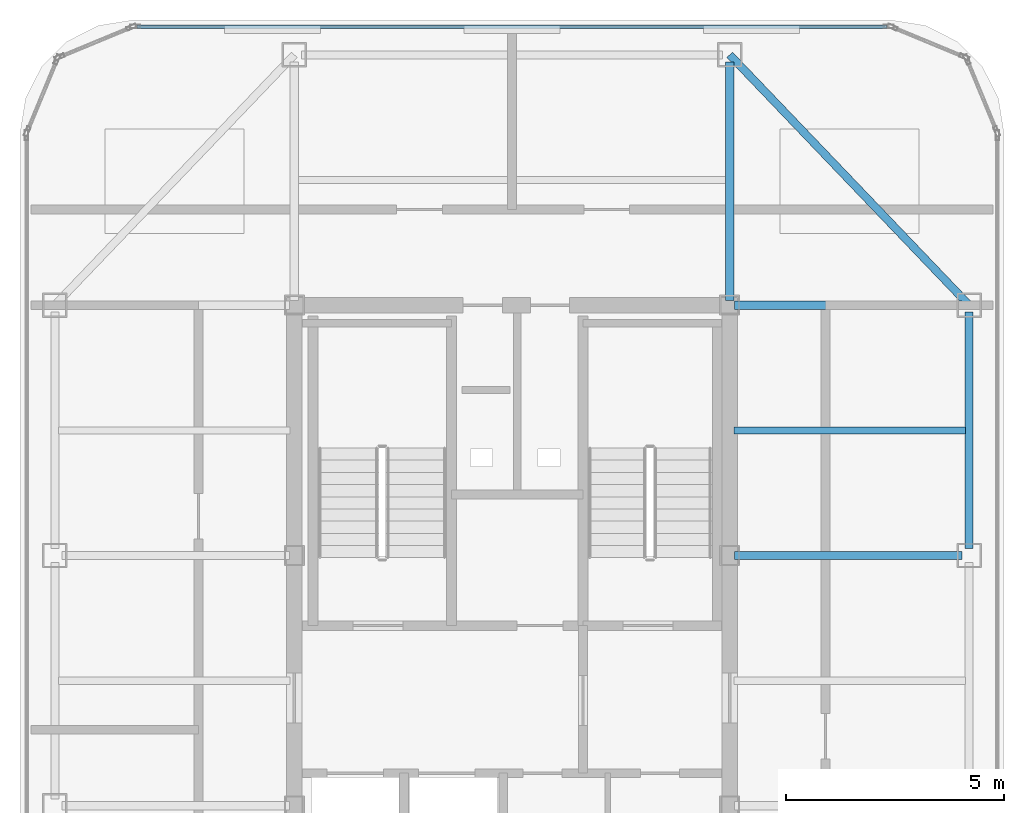
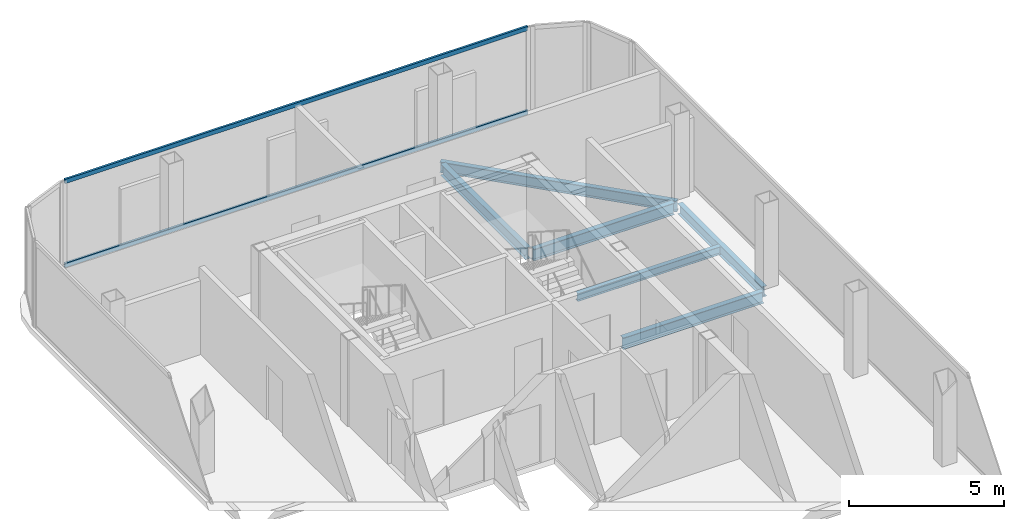
# One storey, part 7 of 11: 6 beams, 2 members, 1 element without a shape of its own.
"""IFC4 building model written with IfcOpenShell, lengths in metres."""

from ifc_helpers import new_model, si_unit, direction, frame, origin, origin_2d, place, context, subcontext, project, spatial, hollow_rectangle, i_section, extrude, source, transform, mapped, material, layer, layer_set, material_profile, profile_set, type_object, element, aggregate, save


model = new_model("IFC4")

# Units and contexts
model_context = context("Model", 3, precision=1e-05, world=origin(), true_north=direction((0.0, 1.0)))
body_context = subcontext(model_context, "Body", "Model", "MODEL_VIEW")
ifc_project = project(units=[si_unit("LENGTHUNIT", "METRE"), si_unit("AREAUNIT", "SQUARE_METRE"), si_unit("VOLUMEUNIT", "CUBIC_METRE"), si_unit("PLANEANGLEUNIT", "RADIAN"), si_unit("MASSUNIT", "GRAM", prefix="KILO")], contexts=[model_context])

# Site, building, storey
site_placement = place(None, origin())
site = spatial("IfcSite", under=ifc_project, at=site_placement, CompositionType="ELEMENT")
building_placement = place(site_placement, origin())
building = spatial("IfcBuilding", under=site, at=building_placement, Name="Kolveth Station Tower", CompositionType="ELEMENT")
storey_placement = place(building_placement, frame((0.0, 0.0, 289.300048828125)))
storey = spatial("IfcBuildingStorey", under=building, at=storey_placement, Name="L83", CompositionType="ELEMENT", Elevation=289.300048828125)

# Beams
ifc_material_1 = material(Name="Steel S355", Category="steel")
ifc_material_profile_1 = material_profile(ifc_material_1, i_section(OverallWidth=0.180908203125, OverallDepth=0.4169921875, WebThickness=0.010986328125, FlangeThickness=0.018310546875, at=origin_2d()), Name="W410x85")
ifc_profile_set_1 = profile_set([ifc_material_profile_1], Name="Steel S355")
beam_type_1 = type_object("IfcBeamType", Name="Beam_B8", PredefinedType="BEAM", material=ifc_profile_set_1)
shared_shape_1 = source(origin(), body_context, "Body", "SweptSolid", [
    extrude(i_section(OverallWidth=0.180908203125, OverallDepth=0.4169921875, WebThickness=0.010986328125, FlangeThickness=0.018310546875, at=origin_2d()), origin(), (0.0, 0.0, 1.0), 5.43017578125),
])
beam_1_placement = place(storey_placement, frame((34.0, 23.159912109375, -0.428466796875), z_axis=(0.0, 1.0, 0.0), x_axis=(-1.0, 0.0, 0.0)))
element("IfcBeam", 1, at=beam_1_placement, inside=storey, type_object=beam_type_1, Name="L83 Perimeter Spandrel BM-L83-PE-3", PredefinedType="BEAM", context=body_context, shape_type="MappedRepresentation", body=[
    mapped(shared_shape_1, transform((0.0, 0.0, 0.0), x_axis=(1.0, 0.0, 0.0), y_axis=(0.0, 1.0, 0.0), z_axis=(0.0, 0.0, 1.0), scale=1.0)),
])
ifc_material_profile_2 = material_profile(ifc_material_1, i_section(OverallWidth=0.19091796875, OverallDepth=0.4599609375, WebThickness=0.010009765625, FlangeThickness=0.01611328125, at=origin_2d()), Name="W460x82")
ifc_profile_set_2 = profile_set([ifc_material_profile_2], Name="Steel S355")
beam_type_2 = type_object("IfcBeamType", Name="Beam_B7", PredefinedType="BEAM", material=ifc_profile_set_2)
shared_shape_2 = source(origin(), body_context, "Body", "SweptSolid", [
    extrude(i_section(OverallWidth=0.19091796875, OverallDepth=0.4599609375, WebThickness=0.010009765625, FlangeThickness=0.01611328125, at=origin_2d()), origin(), (0.0, 0.0, 1.0), 5.22998046875),
])
for number, where, z_axis, x_axis, name in (
    (2, (28.610107421875, 23.0, -0.449951171875), (1.0, 0.0, 0.0), (0.0, 1.0, 0.0), "L83 Primary Girder BM-L83-GY230-3"),
    (3, (28.610107421875, 28.75, -0.449951171875), (1.0, 0.0, 0.0), (0.0, 1.0, 0.0), "L83 Primary Girder BM-L83-GY287-3"),
):
    element("IfcBeam", number, at=place(storey_placement, frame(where, z_axis=z_axis, x_axis=x_axis)), inside=storey, type_object=beam_type_2, Name=name, PredefinedType="BEAM", context=body_context, shape_type="MappedRepresentation", body=[
        mapped(shared_shape_2, transform((0.0, 0.0, 0.0), x_axis=(1.0, 0.0, 0.0), y_axis=(0.0, 1.0, 0.0), z_axis=(0.0, 0.0, 1.0), scale=1.0)),
    ])
shared_shape_3 = source(origin(), body_context, "Body", "SweptSolid", [
    extrude(i_section(OverallWidth=0.19091796875, OverallDepth=0.4599609375, WebThickness=0.010009765625, FlangeThickness=0.01611328125, at=origin_2d()), origin(), (0.0, 0.0, 1.0), 5.47998046875),
])
beam_2_placement = place(storey_placement, frame((28.5, 28.860107421875, -0.449951171875), z_axis=(0.0, 1.0, 0.0), x_axis=(-1.0, 0.0, 0.0)))
element("IfcBeam", 4, at=beam_2_placement, inside=storey, type_object=beam_type_2, Name="L83 Primary Girder BM-L83-GX285-5", PredefinedType="BEAM", context=body_context, shape_type="MappedRepresentation", body=[
    mapped(shared_shape_3, transform((0.0, 0.0, 0.0), x_axis=(1.0, 0.0, 0.0), y_axis=(0.0, 1.0, 0.0), z_axis=(0.0, 0.0, 1.0), scale=1.0)),
])
shared_shape_4 = source(origin(), body_context, "Body", "SweptSolid", [
    extrude(i_section(OverallWidth=0.180908203125, OverallDepth=0.4169921875, WebThickness=0.010986328125, FlangeThickness=0.018310546875, at=origin_2d()), origin(), (0.0, 0.0, 1.0), 7.95703125),
])
beam_3_placement = place(storey_placement, frame((34.0, 28.75, -0.428466796875), z_axis=(-0.691222645967, 0.722641857148, 0.0), x_axis=(-0.722641857148, -0.691222645967, 0.0)))
element("IfcBeam", 5, at=beam_3_placement, inside=storey, type_object=beam_type_1, Name="L83 Corner Edge Girder BM-L83-CNR-NE", PredefinedType="BEAM", context=body_context, shape_type="MappedRepresentation", body=[
    mapped(shared_shape_4, transform((0.0, 0.0, 0.0), x_axis=(1.0, 0.0, 0.0), y_axis=(0.0, 1.0, 0.0), z_axis=(0.0, 0.0, 1.0), scale=1.0)),
])
ifc_material_profile_3 = material_profile(ifc_material_1, i_section(OverallWidth=0.1650390625, OverallDepth=0.31005859375, WebThickness=0.005859375, FlangeThickness=0.009765625, at=origin_2d()), Name="W310x39")
ifc_profile_set_3 = profile_set([ifc_material_profile_3], Name="Steel S355")
beam_type_3 = type_object("IfcBeamType", Name="Beam_J3", PredefinedType="JOIST", material=ifc_profile_set_3)
shared_shape_5 = source(origin(), body_context, "Body", "SweptSolid", [
    extrude(i_section(OverallWidth=0.1650390625, OverallDepth=0.31005859375, WebThickness=0.005859375, FlangeThickness=0.009765625, at=origin_2d()), origin(), (0.0, 0.0, 1.0), 5.318115234375),
])
beam_4_placement = place(storey_placement, frame((28.593505859375, 25.875, -0.375), z_axis=(1.0, 0.0, 0.0), x_axis=(0.0, 1.0, 0.0)))
element("IfcBeam", 6, at=beam_4_placement, inside=storey, type_object=beam_type_3, Name="L83 Secondary Joist JST-L83-3-4", PredefinedType="JOIST", context=body_context, shape_type="MappedRepresentation", body=[
    mapped(shared_shape_5, transform((0.0, 0.0, 0.0), x_axis=(1.0, 0.0, 0.0), y_axis=(0.0, 1.0, 0.0), z_axis=(0.0, 0.0, 1.0), scale=1.0)),
])

# Curtain wall, members
ifc_material_2 = material(Name="Black anodized aluminium 6063-T6 and dark crown glass", Category="aluminium")
ifc_layer = layer(ifc_material_2, 0.169921875)
ifc_layer_set = layer_set([ifc_layer], Name="Black anodized aluminium 6063-T6 and dark crown glass")
curtain_wall_type = type_object("IfcCurtainWallType", Name="CurtainWall_CW-CR", PredefinedType="NOTDEFINED", material=ifc_layer_set)
curtain_wall_placement = place(storey_placement, origin())
curtain_wall = element("IfcCurtainWall", 7, at=curtain_wall_placement, inside=storey, type_object=curtain_wall_type, Name="L83 Stepped Crown Curtain Wall 6", PredefinedType="NOTDEFINED")
ifc_material_3 = material(Name="Black anodized aluminium 6063-T6", Category="aluminium")
ifc_material_profile_4 = material_profile(ifc_material_3, hollow_rectangle(XDim=0.080078125, YDim=0.1650390625, WallThickness=0.0048828125, at=origin_2d()), Name="ALU-80x165x5")
ifc_profile_set_4 = profile_set([ifc_material_profile_4], Name="Black anodized aluminium 6063-T6")
member_type = type_object("IfcMemberType", Name="Transom_TR-CR", PredefinedType="USERDEFINED", material=ifc_profile_set_4)
shared_shape_6 = source(origin(), body_context, "Body", "SweptSolid", [
    extrude(hollow_rectangle(XDim=0.080078125, YDim=0.1650390625, WallThickness=0.0048828125, at=origin_2d()), origin(), (0.0, 0.0, 1.0), 17.22998046875),
])
member_1_placement = place(storey_placement, frame((32.114990234375, 35.14990234375, 0.0400390625), z_axis=(-1.0, 0.0, 0.0), x_axis=(0.0, -1.0, 0.0)))
member_1 = element("IfcMember", 8, at=member_1_placement, type_object=member_type, Name="CW-CR transom 1.1", ObjectType="TRANSOM", PredefinedType="USERDEFINED", context=body_context, shape_type="MappedRepresentation", body=[
    mapped(shared_shape_6, transform((0.0, 0.0, 0.0), x_axis=(1.0, 0.0, 0.0), y_axis=(0.0, 1.0, 0.0), z_axis=(0.0, 0.0, 1.0), scale=1.0)),
])
member_2_placement = place(storey_placement, frame((32.114990234375, 35.14990234375, 3.33984375), z_axis=(-1.0, 0.0, 0.0), x_axis=(0.0, -1.0, 0.0)))
member_2 = element("IfcMember", 9, at=member_2_placement, type_object=member_type, Name="CW-CR transom 1.2", ObjectType="TRANSOM", PredefinedType="USERDEFINED", context=body_context, shape_type="MappedRepresentation", body=[
    mapped(shared_shape_6, transform((0.0, 0.0, 0.0), x_axis=(1.0, 0.0, 0.0), y_axis=(0.0, 1.0, 0.0), z_axis=(0.0, 0.0, 1.0), scale=1.0)),
])
aggregate(curtain_wall, [member_1, member_2])

save(model, "model.ifc")
